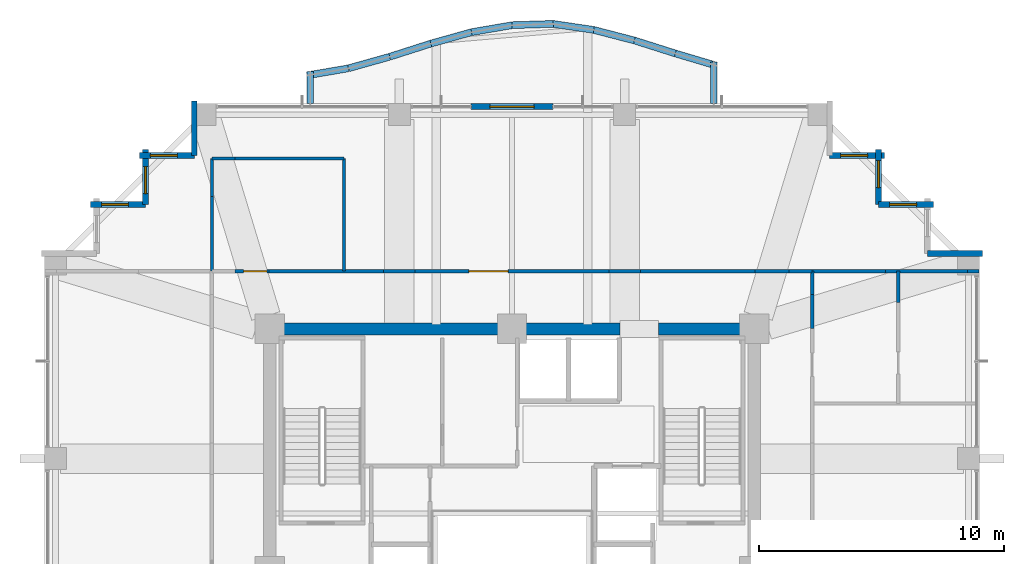
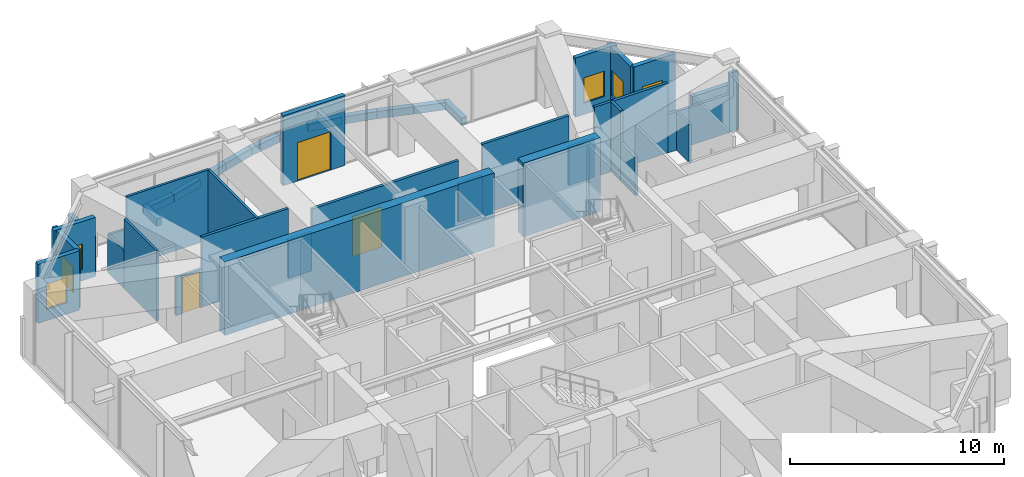
# One storey, part 29 of 33: 42 walls, 6 windows, 3 doors, 9 openings.
"""IFC4 building model written with IfcOpenShell, lengths in metres."""

from ifc_helpers import new_model, si_unit, direction, frame, frame_2d, origin, place, context, subcontext, project, spatial, rectangle, extrude, material, layer, layer_set, type_object, element, fill, save


model = new_model("IFC4")

# Units and contexts
model_context = context("Model", 3, precision=1e-05, world=origin(), true_north=direction((0.0, 1.0)))
body_context = subcontext(model_context, "Body", "Model", "MODEL_VIEW")
ifc_project = project(units=[si_unit("LENGTHUNIT", "METRE"), si_unit("AREAUNIT", "SQUARE_METRE"), si_unit("VOLUMEUNIT", "CUBIC_METRE"), si_unit("PLANEANGLEUNIT", "RADIAN"), si_unit("MASSUNIT", "GRAM", prefix="KILO")], contexts=[model_context])

# Site, building, storey
site_placement = place(None, origin())
site = spatial("IfcSite", under=ifc_project, at=site_placement, CompositionType="ELEMENT")
building_placement = place(site_placement, origin())
building = spatial("IfcBuilding", under=site, at=building_placement, Name="Kolvaren Belvedere", CompositionType="ELEMENT")
storey_placement = place(building_placement, frame((0.0, 0.0, 152.699951171875)))
storey = spatial("IfcBuildingStorey", under=building, at=storey_placement, Name="L44", CompositionType="ELEMENT", Elevation=152.699951171875)

# Walls
ifc_material_1 = material(Name="Concrete C50/60", Category="concrete")
ifc_layer_1 = layer(ifc_material_1, 0.5)
ifc_layer_set_1 = layer_set([ifc_layer_1], Name="Concrete C50/60")
wall_type_1 = type_object("IfcWallType", Name="CW-CORE-500", PredefinedType="SHEAR", material=ifc_layer_set_1)
wall_1_placement = place(storey_placement, frame((-10.14990234375, 9.89990234375, 0.0), z_axis=(0.0, 0.0, 1.0), x_axis=(1.0, 0.0, 0.0)))
element("IfcWall", 1, at=wall_1_placement, inside=storey, type_object=wall_type_1, Name="L44 North Core Shear Wall 1", PredefinedType="SHEAR", context=body_context, shape_type="SweptSolid", body=[
    extrude(rectangle(XDim=14.56982421875, YDim=0.5, at=frame_2d((7.284912109375, 0.0))), origin(), (0.0, 0.0, 1.0), 4.199951171875),
])
wall_2_placement = place(storey_placement, frame((5.97998046875, 9.89990234375, 0.0), z_axis=(0.0, 0.0, 1.0), x_axis=(1.0, 0.0, 0.0)))
element("IfcWall", 2, at=wall_2_placement, inside=storey, type_object=wall_type_1, Name="L44 North Core Shear Wall 2", PredefinedType="SHEAR", context=body_context, shape_type="SweptSolid", body=[
    extrude(rectangle(XDim=4.169921875, YDim=0.5, at=frame_2d((2.0849609375, 0.0))), origin(), (0.0, 0.0, 1.0), 4.199951171875),
])

# Wall, opening, door
ifc_material_2 = material(Name="Gypsum fire-rated partition assembly", Category="gypsum")
ifc_layer_2 = layer(ifc_material_2, 0.14990234375)
ifc_layer_set_2 = layer_set([ifc_layer_2], Name="Gypsum fire-rated partition assembly")
wall_type_2 = type_object("IfcWallType", Name="WL-CORR-150", PredefinedType="PARTITIONING", material=ifc_layer_set_2)
wall_3_placement = place(storey_placement, frame((-11.310546875, 12.260009765625, 0.0), z_axis=(0.0, 0.0, 1.0), x_axis=(1.0, 0.0, 0.0)))
wall_3 = element("IfcWall", 3, at=wall_3_placement, inside=storey, type_object=wall_type_2, Name="L44 North Corridor Wall", PredefinedType="PARTITIONING", context=body_context, shape_type="SweptSolid", body=[
    extrude(rectangle(XDim=1.3916015625, YDim=0.14990234375, at=frame_2d((0.69580078125, 0.0))), origin(), (0.0, 0.0, 1.0), 2.18505859375),
])
opening_1_placement = place(wall_3_placement, frame((0.341552734375, 0.0, 0.0)))
opening_1 = element("IfcOpeningElement", 4, at=opening_1_placement, cuts=wall_3, Name="Opening D-INT95", PredefinedType="OPENING", context=body_context, shape_type="SweptSolid", body=[
    extrude(rectangle(XDim=0.949951171875, YDim=2.06005859375, at=frame_2d((0.47509765625, 1.030029296875))), frame((0.0, 0.0849609375, 0.0), z_axis=(0.0, -1.0, 0.0), x_axis=(1.0, 0.0, 0.0)), (0.0, 0.0, 1.0), 0.169921875),
])
ifc_material_3 = material(Name="Stained Pacific white oak", Category="timber")
door_type_1 = type_object("IfcDoorType", Name="DR-INT-950", OperationType="NOTDEFINED", PredefinedType="DOOR", material=ifc_material_3)
door_1_placement = place(opening_1_placement, origin())
door_1 = element("IfcDoor", 5, at=door_1_placement, inside=storey, type_object=door_type_1, Name="L44 Accessible Club Washroom Door", OperationType="SINGLE_SWING_LEFT", OverallHeight=2.06005859375, OverallWidth=0.949951171875, PredefinedType="DOOR", context=body_context, shape_type="SweptSolid", body=[
    extrude(rectangle(XDim=0.949951171875, YDim=2.06005859375, at=frame_2d((0.47509765625, 1.030029296875))), frame((0.0, 0.02490234375, 0.0), z_axis=(0.0, -1.0, 0.0), x_axis=(1.0, 0.0, 0.0)), (0.0, 0.0, 1.0), 0.050048828125),
])
fill(opening_1, door_1)

# Walls
wall_4_placement = place(storey_placement, frame((-9.9189453125, 12.260009765625, 0.0), z_axis=(0.0, 0.0, 1.0), x_axis=(1.0, 0.0, 0.0)))
element("IfcWall", 6, at=wall_4_placement, inside=storey, type_object=wall_type_2, Name="L44 North Corridor Wall", PredefinedType="PARTITIONING", context=body_context, shape_type="SweptSolid", body=[
    extrude(rectangle(XDim=4.677001953125, YDim=0.14990234375, at=frame_2d((2.33837890625, 0.0))), origin(), (0.0, 0.0, 1.0), 4.0),
])
wall_5_placement = place(storey_placement, frame((-5.241943359375, 12.260009765625, 0.0), z_axis=(0.0, 0.0, 1.0), x_axis=(1.0, 0.0, 0.0)))
element("IfcWall", 7, at=wall_5_placement, inside=storey, type_object=wall_type_2, Name="L44 North Corridor Wall", PredefinedType="PARTITIONING", context=body_context, shape_type="SweptSolid", body=[
    extrude(rectangle(XDim=1.283935546875, YDim=0.14990234375, at=frame_2d((0.64208984375, 0.0))), origin(), (0.0, 0.0, 1.0), 2.18505859375),
])

# Wall, opening, door
wall_6_placement = place(storey_placement, frame((-3.9580078125, 12.260009765625, 0.0), z_axis=(0.0, 0.0, 1.0), x_axis=(1.0, 0.0, 0.0)))
wall_6 = element("IfcWall", 8, at=wall_6_placement, inside=storey, type_object=wall_type_2, Name="L44 North Corridor Wall", PredefinedType="PARTITIONING", context=body_context, shape_type="SweptSolid", body=[
    extrude(rectangle(XDim=7.916015625, YDim=0.14990234375, at=frame_2d((3.9580078125, 0.0))), origin(), (0.0, 0.0, 1.0), 3.525146484375),
])
opening_2_placement = place(wall_6_placement, frame((2.197998046875, 0.0, 0.0)))
opening_2 = element("IfcOpeningElement", 9, at=opening_2_placement, cuts=wall_6, Name="Opening D-GL16", PredefinedType="OPENING", context=body_context, shape_type="SweptSolid", body=[
    extrude(rectangle(XDim=1.60009765625, YDim=2.300048828125, at=frame_2d((0.800048828125, 1.14990234375))), frame((0.0, 0.0849609375, 0.0), z_axis=(0.0, -1.0, 0.0), x_axis=(1.0, 0.0, 0.0)), (0.0, 0.0, 1.0), 0.169921875),
])
ifc_material_4 = material(Name="Anodised pale-metal aluminium & safety glass", Category="aluminium")
door_type_2 = type_object("IfcDoorType", Name="DR-GLAZ-1600", OperationType="DOUBLE_DOOR_SINGLE_SWING", PredefinedType="DOOR", material=ifc_material_4)
door_2_placement = place(opening_2_placement, origin())
door_2 = element("IfcDoor", 10, at=door_2_placement, inside=storey, type_object=door_type_2, Name="L44 North Panoramic Lounge Door", OperationType="DOUBLE_DOOR_SINGLE_SWING", OverallHeight=2.300048828125, OverallWidth=1.60009765625, PredefinedType="DOOR", context=body_context, shape_type="SweptSolid", body=[
    extrude(rectangle(XDim=1.60009765625, YDim=2.300048828125, at=frame_2d((0.800048828125, 1.14990234375))), frame((0.0, 0.02490234375, 0.0), z_axis=(0.0, -1.0, 0.0), x_axis=(1.0, 0.0, 0.0)), (0.0, 0.0, 1.0), 0.050048828125),
])
fill(opening_2, door_2)

# Walls
wall_7_placement = place(storey_placement, frame((3.9580078125, 12.260009765625, 0.0), z_axis=(0.0, 0.0, 1.0), x_axis=(1.0, 0.0, 0.0)))
element("IfcWall", 11, at=wall_7_placement, inside=storey, type_object=wall_type_2, Name="L44 North Corridor Wall", PredefinedType="PARTITIONING", context=body_context, shape_type="SweptSolid", body=[
    extrude(rectangle(XDim=1.283935546875, YDim=0.14990234375, at=frame_2d((0.64208984375, 0.0))), origin(), (0.0, 0.0, 1.0), 2.18505859375),
])
wall_8_placement = place(storey_placement, frame((5.241943359375, 12.260009765625, 0.0), z_axis=(0.0, 0.0, 1.0), x_axis=(1.0, 0.0, 0.0)))
element("IfcWall", 12, at=wall_8_placement, inside=storey, type_object=wall_type_2, Name="L44 North Corridor Wall", PredefinedType="PARTITIONING", context=body_context, shape_type="SweptSolid", body=[
    extrude(rectangle(XDim=4.677001953125, YDim=0.14990234375, at=frame_2d((2.33837890625, 0.0))), origin(), (0.0, 0.0, 1.0), 4.0),
])
wall_9_placement = place(storey_placement, frame((9.9189453125, 12.260009765625, 0.0), z_axis=(0.0, 0.0, 1.0), x_axis=(1.0, 0.0, 0.0)))
element("IfcWall", 13, at=wall_9_placement, inside=storey, type_object=wall_type_2, Name="L44 North Corridor Wall", PredefinedType="PARTITIONING", context=body_context, shape_type="SweptSolid", body=[
    extrude(rectangle(XDim=1.3916015625, YDim=0.14990234375, at=frame_2d((0.69580078125, 0.0))), origin(), (0.0, 0.0, 1.0), 2.18505859375),
])
wall_10_placement = place(storey_placement, frame((11.310546875, 12.260009765625, 0.0), z_axis=(0.0, 0.0, 1.0), x_axis=(1.0, 0.0, 0.0)))
element("IfcWall", 14, at=wall_10_placement, inside=storey, type_object=wall_type_2, Name="L44 North Corridor Wall", PredefinedType="PARTITIONING", context=body_context, shape_type="SweptSolid", body=[
    extrude(rectangle(XDim=0.949462890625, YDim=0.14990234375, at=frame_2d((0.474609375, 0.0))), origin(), (0.0, 0.0, 1.0), 4.0),
])
wall_11_placement = place(storey_placement, frame((12.260009765625, 9.9189453125, 0.0), z_axis=(0.0, 0.0, 1.0), x_axis=(0.0, 1.0, 0.0)))
element("IfcWall", 15, at=wall_11_placement, inside=storey, type_object=wall_type_2, Name="L44 East Corridor Wall", PredefinedType="PARTITIONING", context=body_context, shape_type="SweptSolid", body=[
    extrude(rectangle(XDim=1.3916015625, YDim=0.14990234375, at=frame_2d((0.69580078125, 0.0))), origin(), (0.0, 0.0, 1.0), 2.18505859375),
])
wall_12_placement = place(storey_placement, frame((12.260009765625, 11.310546875, 0.0), z_axis=(0.0, 0.0, 1.0), x_axis=(0.0, 1.0, 0.0)))
element("IfcWall", 16, at=wall_12_placement, inside=storey, type_object=wall_type_2, Name="L44 East Corridor Wall", PredefinedType="PARTITIONING", context=body_context, shape_type="SweptSolid", body=[
    extrude(rectangle(XDim=0.949462890625, YDim=0.14990234375, at=frame_2d((0.474609375, 0.0))), origin(), (0.0, 0.0, 1.0), 4.0),
])
wall_13_placement = place(storey_placement, frame((12.260009765625, 12.260009765625, 0.0), z_axis=(0.0, 0.0, 1.0), x_axis=(1.0, 0.0, 0.0)))
element("IfcWall", 17, at=wall_13_placement, inside=storey, type_object=wall_type_2, Name="L44 Sector Wall PW-L44-QNE", PredefinedType="PARTITIONING", context=body_context, shape_type="SweptSolid", body=[
    extrude(rectangle(XDim=3.00390625, YDim=0.14990234375, at=frame_2d((1.501953125, 0.0))), origin(), (0.0, 0.0, 1.0), 4.0),
])
wall_14_placement = place(storey_placement, frame((15.263916015625, 12.260009765625, 0.0), z_axis=(0.0, 0.0, 1.0), x_axis=(1.0, 0.0, 0.0)))
element("IfcWall", 18, at=wall_14_placement, inside=storey, type_object=wall_type_2, Name="L44 Sector Wall PW-L44-QNE", PredefinedType="PARTITIONING", context=body_context, shape_type="SweptSolid", body=[
    extrude(rectangle(XDim=3.34228515625, YDim=0.14990234375, at=frame_2d((1.671142578125, 0.0))), origin(), (0.0, 0.0, 1.0), 2.18505859375),
])
wall_15_placement = place(storey_placement, frame((18.606201171875, 12.260009765625, 0.0), z_axis=(0.0, 0.0, 1.0), x_axis=(1.0, 0.0, 0.0)))
element("IfcWall", 19, at=wall_15_placement, inside=storey, type_object=wall_type_2, Name="L44 Sector Wall PW-L44-QNE", PredefinedType="PARTITIONING", context=body_context, shape_type="SweptSolid", body=[
    extrude(rectangle(XDim=0.473876953125, YDim=0.14990234375, at=frame_2d((0.23681640625, 0.0))), origin(), (0.0, 0.0, 1.0), 3.373046875),
])
ifc_material_5 = material(Name="Insulated pale-metal facade wall assembly", Category="aluminium")
ifc_layer_3 = layer(ifc_material_5, 0.239990234375)
ifc_layer_set_3 = layer_set([ifc_layer_3], Name="Insulated pale-metal facade wall assembly")
wall_type_3 = type_object("IfcWallType", Name="WL-EXT-240", PredefinedType="STANDARD", material=ifc_layer_set_3)
wall_16_placement = place(storey_placement, frame((16.97998046875, 12.97998046875, 0.0), z_axis=(0.0, 0.0, 1.0), x_axis=(1.0, 0.0, 0.0)))
element("IfcWall", 20, at=wall_16_placement, inside=storey, type_object=wall_type_3, Name="L44 Serrated Corner Facade Wall 9", PredefinedType="STANDARD", context=body_context, shape_type="SweptSolid", body=[
    extrude(rectangle(XDim=2.239990234375, YDim=0.239990234375, at=frame_2d((1.1201171875, 0.0))), origin(), (0.0, 0.0, 1.0), 2.195068359375),
])

# Wall, opening, window
wall_17_placement = place(storey_placement, frame((14.97998046875, 14.97998046875, 0.0), z_axis=(0.0, 0.0, 1.0), x_axis=(1.0, 0.0, 0.0)))
wall_17 = element("IfcWall", 21, at=wall_17_placement, inside=storey, type_object=wall_type_3, Name="L44 Serrated Corner Facade Wall 11", PredefinedType="STANDARD", context=body_context, shape_type="SweptSolid", body=[
    extrude(rectangle(XDim=2.239990234375, YDim=0.239990234375, at=frame_2d((1.1201171875, 0.0))), origin(), (0.0, 0.0, 1.0), 3.383056640625),
])
opening_3_placement = place(wall_17_placement, frame((0.449951171875, 0.0, 0.64990234375)))
opening_3 = element("IfcOpeningElement", 22, at=opening_3_placement, cuts=wall_17, Name="Opening W-1100", PredefinedType="OPENING", context=body_context, shape_type="SweptSolid", body=[
    extrude(rectangle(XDim=1.10009765625, YDim=1.449951171875, at=frame_2d((0.550048828125, 0.72509765625))), frame((0.0, 0.1298828125, 0.0), z_axis=(0.0, -1.0, 0.0), x_axis=(1.0, 0.0, 0.0)), (0.0, 0.0, 1.0), 0.260009765625),
])
ifc_material_6 = material(Name="Low-iron triple insulated glass", Category="glass")
window_type = type_object("IfcWindowType", Name="WN-CORN-1100", PartitioningType="SINGLE_PANEL", PredefinedType="WINDOW", material=ifc_material_6)
window_1_placement = place(opening_3_placement, origin())
window_1 = element("IfcWindow", 23, at=window_1_placement, inside=storey, type_object=window_type, Name="L44 Serrated Corner Vision Window 11", OverallHeight=1.449951171875, OverallWidth=1.10009765625, PartitioningType="SINGLE_PANEL", PredefinedType="WINDOW", context=body_context, shape_type="SweptSolid", body=[
    extrude(rectangle(XDim=1.10009765625, YDim=1.449951171875, at=frame_2d((0.550048828125, 0.72509765625))), frame((0.0, 0.030029296875, 0.0), z_axis=(0.0, -1.0, 0.0), x_axis=(1.0, 0.0, 0.0)), (0.0, 0.0, 1.0), 0.06005859375),
])
fill(opening_3, window_1)

wall_18_placement = place(storey_placement, frame((14.97998046875, 17.219970703125, 0.0), z_axis=(0.0, 0.0, 1.0), x_axis=(0.0, -1.0, 0.0)))
wall_18 = element("IfcWall", 24, at=wall_18_placement, inside=storey, type_object=wall_type_3, Name="L44 Serrated Corner Facade Wall 12", PredefinedType="STANDARD", context=body_context, shape_type="SweptSolid", body=[
    extrude(rectangle(XDim=2.239990234375, YDim=0.239990234375, at=frame_2d((1.1201171875, 0.0))), origin(), (0.0, 0.0, 1.0), 3.383056640625),
])
opening_4_placement = place(wall_18_placement, frame((0.449951171875, 0.0, 0.64990234375)))
opening_4 = element("IfcOpeningElement", 25, at=opening_4_placement, cuts=wall_18, Name="Opening W-1100", PredefinedType="OPENING", context=body_context, shape_type="SweptSolid", body=[
    extrude(rectangle(XDim=1.10009765625, YDim=1.449951171875, at=frame_2d((0.550048828125, 0.72509765625))), frame((0.0, 0.1298828125, 0.0), z_axis=(0.0, -1.0, 0.0), x_axis=(1.0, 0.0, 0.0)), (0.0, 0.0, 1.0), 0.260009765625),
])
window_2_placement = place(opening_4_placement, origin())
window_2 = element("IfcWindow", 26, at=window_2_placement, inside=storey, type_object=window_type, Name="L44 Serrated Corner Vision Window 12", OverallHeight=1.449951171875, OverallWidth=1.10009765625, PartitioningType="SINGLE_PANEL", PredefinedType="WINDOW", context=body_context, shape_type="SweptSolid", body=[
    extrude(rectangle(XDim=1.10009765625, YDim=1.449951171875, at=frame_2d((0.550048828125, 0.72509765625))), frame((0.0, 0.030029296875, 0.0), z_axis=(0.0, -1.0, 0.0), x_axis=(1.0, 0.0, 0.0)), (0.0, 0.0, 1.0), 0.06005859375),
])
fill(opening_4, window_2)

wall_19_placement = place(storey_placement, frame((12.97998046875, 16.97998046875, 0.0), z_axis=(0.0, 0.0, 1.0), x_axis=(1.0, 0.0, 0.0)))
wall_19 = element("IfcWall", 27, at=wall_19_placement, inside=storey, type_object=wall_type_3, Name="L44 Serrated Corner Facade Wall 13", PredefinedType="STANDARD", context=body_context, shape_type="SweptSolid", body=[
    extrude(rectangle(XDim=2.239990234375, YDim=0.239990234375, at=frame_2d((1.1201171875, 0.0))), origin(), (0.0, 0.0, 1.0), 3.383056640625),
])
opening_5_placement = place(wall_19_placement, frame((0.449951171875, 0.0, 0.64990234375)))
opening_5 = element("IfcOpeningElement", 28, at=opening_5_placement, cuts=wall_19, Name="Opening W-1100", PredefinedType="OPENING", context=body_context, shape_type="SweptSolid", body=[
    extrude(rectangle(XDim=1.10009765625, YDim=1.449951171875, at=frame_2d((0.550048828125, 0.72509765625))), frame((0.0, 0.1298828125, 0.0), z_axis=(0.0, -1.0, 0.0), x_axis=(1.0, 0.0, 0.0)), (0.0, 0.0, 1.0), 0.260009765625),
])
window_3_placement = place(opening_5_placement, origin())
window_3 = element("IfcWindow", 29, at=window_3_placement, inside=storey, type_object=window_type, Name="L44 Serrated Corner Vision Window 13", OverallHeight=1.449951171875, OverallWidth=1.10009765625, PartitioningType="SINGLE_PANEL", PredefinedType="WINDOW", context=body_context, shape_type="SweptSolid", body=[
    extrude(rectangle(XDim=1.10009765625, YDim=1.449951171875, at=frame_2d((0.550048828125, 0.72509765625))), frame((0.0, 0.030029296875, 0.0), z_axis=(0.0, -1.0, 0.0), x_axis=(1.0, 0.0, 0.0)), (0.0, 0.0, 1.0), 0.06005859375),
])
fill(opening_5, window_3)

# Wall, opening, door
wall_20_placement = place(storey_placement, frame((-1.679931640625, 18.97998046875, 0.0), z_axis=(0.0, 0.0, 1.0), x_axis=(1.0, 0.0, 0.0)))
wall_20 = element("IfcWall", 30, at=wall_20_placement, inside=storey, type_object=wall_type_3, Name="L44 North Terrace Portal Wall", PredefinedType="STANDARD", context=body_context, shape_type="SweptSolid", body=[
    extrude(rectangle(XDim=3.35986328125, YDim=0.239990234375, at=frame_2d((1.679931640625, 0.0))), origin(), (0.0, 0.0, 1.0), 4.0),
])
opening_6_placement = place(wall_20_placement, frame((0.780029296875, 0.0, 0.0)))
opening_6 = element("IfcOpeningElement", 31, at=opening_6_placement, cuts=wall_20, Name="Opening DB-1800", PredefinedType="OPENING", context=body_context, shape_type="SweptSolid", body=[
    extrude(rectangle(XDim=1.800048828125, YDim=2.199951171875, at=frame_2d((0.89990234375, 1.10009765625))), frame((0.0, 0.1298828125, 0.0), z_axis=(0.0, -1.0, 0.0), x_axis=(1.0, 0.0, 0.0)), (0.0, 0.0, 1.0), 0.260009765625),
])
ifc_material_7 = material(Name="Thermally broken pale-metal aluminium & low-iron glass", Category="aluminium")
door_type_3 = type_object("IfcDoorType", Name="DR-BAL-1800", OperationType="DOUBLE_DOOR_SLIDING", PredefinedType="DOOR", material=ifc_material_7)
door_3_placement = place(opening_6_placement, origin())
door_3 = element("IfcDoor", 32, at=door_3_placement, inside=storey, type_object=door_type_3, Name="L44 North Planted Terrace Sliding Door", OperationType="DOUBLE_DOOR_SLIDING", OverallHeight=2.199951171875, OverallWidth=1.800048828125, PredefinedType="DOOR", context=body_context, shape_type="SweptSolid", body=[
    extrude(rectangle(XDim=1.800048828125, YDim=2.199951171875, at=frame_2d((0.89990234375, 1.10009765625))), frame((0.0, 0.02490234375, 0.0), z_axis=(0.0, -1.0, 0.0), x_axis=(1.0, 0.0, 0.0)), (0.0, 0.0, 1.0), 0.050048828125),
])
fill(opening_6, door_3)

# Wall
wall_21_placement = place(storey_placement, frame((-12.97998046875, 16.97998046875, 0.0), z_axis=(0.0, 0.0, 1.0), x_axis=(0.0, 1.0, 0.0)))
element("IfcWall", 33, at=wall_21_placement, inside=storey, type_object=wall_type_3, Name="L44 Serrated Corner Facade Wall 16", PredefinedType="STANDARD", context=body_context, shape_type="SweptSolid", body=[
    extrude(rectangle(XDim=2.239990234375, YDim=0.239990234375, at=frame_2d((1.1201171875, 0.0))), origin(), (0.0, 0.0, 1.0), 2.195068359375),
])

# Wall, opening, window
wall_22_placement = place(storey_placement, frame((-15.219970703125, 16.97998046875, 0.0), z_axis=(0.0, 0.0, 1.0), x_axis=(1.0, 0.0, 0.0)))
wall_22 = element("IfcWall", 34, at=wall_22_placement, inside=storey, type_object=wall_type_3, Name="L44 Serrated Corner Facade Wall 17", PredefinedType="STANDARD", context=body_context, shape_type="SweptSolid", body=[
    extrude(rectangle(XDim=2.239990234375, YDim=0.239990234375, at=frame_2d((1.1201171875, 0.0))), origin(), (0.0, 0.0, 1.0), 3.383056640625),
])
opening_7_placement = place(wall_22_placement, frame((0.449951171875, 0.0, 0.64990234375)))
opening_7 = element("IfcOpeningElement", 35, at=opening_7_placement, cuts=wall_22, Name="Opening W-1100", PredefinedType="OPENING", context=body_context, shape_type="SweptSolid", body=[
    extrude(rectangle(XDim=1.10009765625, YDim=1.449951171875, at=frame_2d((0.550048828125, 0.72509765625))), frame((0.0, 0.1298828125, 0.0), z_axis=(0.0, -1.0, 0.0), x_axis=(1.0, 0.0, 0.0)), (0.0, 0.0, 1.0), 0.260009765625),
])
window_4_placement = place(opening_7_placement, origin())
window_4 = element("IfcWindow", 36, at=window_4_placement, inside=storey, type_object=window_type, Name="L44 Serrated Corner Vision Window 17", OverallHeight=1.449951171875, OverallWidth=1.10009765625, PartitioningType="SINGLE_PANEL", PredefinedType="WINDOW", context=body_context, shape_type="SweptSolid", body=[
    extrude(rectangle(XDim=1.10009765625, YDim=1.449951171875, at=frame_2d((0.550048828125, 0.72509765625))), frame((0.0, 0.030029296875, 0.0), z_axis=(0.0, -1.0, 0.0), x_axis=(1.0, 0.0, 0.0)), (0.0, 0.0, 1.0), 0.06005859375),
])
fill(opening_7, window_4)

wall_23_placement = place(storey_placement, frame((-14.97998046875, 14.97998046875, 0.0), z_axis=(0.0, 0.0, 1.0), x_axis=(0.0, 1.0, 0.0)))
wall_23 = element("IfcWall", 37, at=wall_23_placement, inside=storey, type_object=wall_type_3, Name="L44 Serrated Corner Facade Wall 18", PredefinedType="STANDARD", context=body_context, shape_type="SweptSolid", body=[
    extrude(rectangle(XDim=2.239990234375, YDim=0.239990234375, at=frame_2d((1.1201171875, 0.0))), origin(), (0.0, 0.0, 1.0), 3.383056640625),
])
opening_8_placement = place(wall_23_placement, frame((0.449951171875, 0.0, 0.64990234375)))
opening_8 = element("IfcOpeningElement", 38, at=opening_8_placement, cuts=wall_23, Name="Opening W-1100", PredefinedType="OPENING", context=body_context, shape_type="SweptSolid", body=[
    extrude(rectangle(XDim=1.10009765625, YDim=1.449951171875, at=frame_2d((0.550048828125, 0.72509765625))), frame((0.0, 0.1298828125, 0.0), z_axis=(0.0, -1.0, 0.0), x_axis=(1.0, 0.0, 0.0)), (0.0, 0.0, 1.0), 0.260009765625),
])
window_5_placement = place(opening_8_placement, origin())
window_5 = element("IfcWindow", 39, at=window_5_placement, inside=storey, type_object=window_type, Name="L44 Serrated Corner Vision Window 18", OverallHeight=1.449951171875, OverallWidth=1.10009765625, PartitioningType="SINGLE_PANEL", PredefinedType="WINDOW", context=body_context, shape_type="SweptSolid", body=[
    extrude(rectangle(XDim=1.10009765625, YDim=1.449951171875, at=frame_2d((0.550048828125, 0.72509765625))), frame((0.0, 0.030029296875, 0.0), z_axis=(0.0, -1.0, 0.0), x_axis=(1.0, 0.0, 0.0)), (0.0, 0.0, 1.0), 0.06005859375),
])
fill(opening_8, window_5)

wall_24_placement = place(storey_placement, frame((-17.219970703125, 14.97998046875, 0.0), z_axis=(0.0, 0.0, 1.0), x_axis=(1.0, 0.0, 0.0)))
wall_24 = element("IfcWall", 40, at=wall_24_placement, inside=storey, type_object=wall_type_3, Name="L44 Serrated Corner Facade Wall 19", PredefinedType="STANDARD", context=body_context, shape_type="SweptSolid", body=[
    extrude(rectangle(XDim=2.239990234375, YDim=0.239990234375, at=frame_2d((1.1201171875, 0.0))), origin(), (0.0, 0.0, 1.0), 3.383056640625),
])
opening_9_placement = place(wall_24_placement, frame((0.449951171875, 0.0, 0.64990234375)))
opening_9 = element("IfcOpeningElement", 41, at=opening_9_placement, cuts=wall_24, Name="Opening W-1100", PredefinedType="OPENING", context=body_context, shape_type="SweptSolid", body=[
    extrude(rectangle(XDim=1.10009765625, YDim=1.449951171875, at=frame_2d((0.550048828125, 0.72509765625))), frame((0.0, 0.1298828125, 0.0), z_axis=(0.0, -1.0, 0.0), x_axis=(1.0, 0.0, 0.0)), (0.0, 0.0, 1.0), 0.260009765625),
])
window_6_placement = place(opening_9_placement, origin())
window_6 = element("IfcWindow", 42, at=window_6_placement, inside=storey, type_object=window_type, Name="L44 Serrated Corner Vision Window 19", OverallHeight=1.449951171875, OverallWidth=1.10009765625, PartitioningType="SINGLE_PANEL", PredefinedType="WINDOW", context=body_context, shape_type="SweptSolid", body=[
    extrude(rectangle(XDim=1.10009765625, YDim=1.449951171875, at=frame_2d((0.550048828125, 0.72509765625))), frame((0.0, 0.030029296875, 0.0), z_axis=(0.0, -1.0, 0.0), x_axis=(1.0, 0.0, 0.0)), (0.0, 0.0, 1.0), 0.06005859375),
])
fill(opening_9, window_6)

# Walls
ifc_material_8 = material(Name="Precast concrete C40/50", Category="concrete")
ifc_layer_4 = layer(ifc_material_8, 0.300048828125)
ifc_layer_set_4 = layer_set([ifc_layer_4], Name="Precast concrete C40/50")
wall_type_4 = type_object("IfcWallType", Name="WL-PLANTER-300", PredefinedType="PARAPET", material=ifc_layer_set_4)
wall_25_placement = place(storey_placement, frame((8.239990234375, 19.10009765625, -0.119873046875), z_axis=(0.0, 0.0, 1.0), x_axis=(0.0, 1.0, 0.0)))
element("IfcWall", 43, at=wall_25_placement, inside=storey, type_object=wall_type_4, Name="L44 Precast Structural Planter Wall BAL-N-11", PredefinedType="PARAPET", context=body_context, shape_type="SweptSolid", body=[
    extrude(rectangle(XDim=1.705078125, YDim=0.280029296875, at=frame_2d((0.8525390625, 0.0))), origin(), (0.0, 0.0, 1.0), 0.419921875),
])
wall_26_placement = place(storey_placement, frame((8.3544921875, 20.65185546875, -0.119873046875), z_axis=(0.0, 0.0, 1.0), x_axis=(-0.958574394638, 0.284842289601, 0.0)))
element("IfcWall", 44, at=wall_26_placement, inside=storey, type_object=wall_type_4, Name="L44 Precast Structural Planter Wall BAL-N-12", PredefinedType="PARAPET", context=body_context, shape_type="SweptSolid", body=[
    extrude(rectangle(XDim=1.752685546875, YDim=0.280029296875, at=frame_2d((0.87646484375, 0.0))), origin(), (0.0, 0.0, 1.0), 0.419921875),
])
wall_27_placement = place(storey_placement, frame((6.671630859375, 21.152099609375, -0.119873046875), z_axis=(0.0, 0.0, 1.0), x_axis=(-0.953181954832, 0.302397356111, 0.0)))
element("IfcWall", 45, at=wall_27_placement, inside=storey, type_object=wall_type_4, Name="L44 Precast Structural Planter Wall BAL-N-13", PredefinedType="PARAPET", context=body_context, shape_type="SweptSolid", body=[
    extrude(rectangle(XDim=1.762451171875, YDim=0.280029296875, at=frame_2d((0.88134765625, 0.0))), origin(), (0.0, 0.0, 1.0), 0.419921875),
])
wall_28_placement = place(storey_placement, frame((5.0, 21.6826171875, -0.119873046875), z_axis=(0.0, 0.0, 1.0), x_axis=(-0.968141031826, 0.250405556038, 0.0)))
element("IfcWall", 46, at=wall_28_placement, inside=storey, type_object=wall_type_4, Name="L44 Precast Structural Planter Wall BAL-N-14", PredefinedType="PARAPET", context=body_context, shape_type="SweptSolid", body=[
    extrude(rectangle(XDim=1.7353515625, YDim=0.280029296875, at=frame_2d((0.86767578125, 0.0))), origin(), (0.0, 0.0, 1.0), 0.419921875),
])
wall_29_placement = place(storey_placement, frame((3.336669921875, 22.114013671875, -0.119873046875), z_axis=(0.0, 0.0, 1.0), x_axis=(-0.989295127716, 0.145928579368, 0.0)))
element("IfcWall", 47, at=wall_29_placement, inside=storey, type_object=wall_type_4, Name="L44 Precast Structural Planter Wall BAL-N-15", PredefinedType="PARAPET", context=body_context, shape_type="SweptSolid", body=[
    extrude(rectangle(XDim=1.697998046875, YDim=0.280029296875, at=frame_2d((0.84912109375, 0.0))), origin(), (0.0, 0.0, 1.0), 0.419921875),
])
wall_30_placement = place(storey_placement, frame((1.68505859375, 22.360107421875, -0.119873046875), z_axis=(0.0, 0.0, 1.0), x_axis=(-0.999503251643, -0.031515868295, 0.0)))
element("IfcWall", 48, at=wall_30_placement, inside=storey, type_object=wall_type_4, Name="L44 Precast Structural Planter Wall BAL-N-16", PredefinedType="PARAPET", context=body_context, shape_type="SweptSolid", body=[
    extrude(rectangle(XDim=1.680908203125, YDim=0.280029296875, at=frame_2d((0.84033203125, 0.0))), origin(), (0.0, 0.0, 1.0), 0.419921875),
])
wall_31_placement = place(storey_placement, frame((0.027099609375, 22.309326171875, -0.119873046875), z_axis=(0.0, 0.0, 1.0), x_axis=(-0.985640648378, -0.168856484225, 0.0)))
element("IfcWall", 49, at=wall_31_placement, inside=storey, type_object=wall_type_4, Name="L44 Precast Structural Planter Wall BAL-N-17", PredefinedType="PARAPET", context=body_context, shape_type="SweptSolid", body=[
    extrude(rectangle(XDim=1.70458984375, YDim=0.280029296875, at=frame_2d((0.852294921875, 0.0))), origin(), (0.0, 0.0, 1.0), 0.419921875),
])
wall_32_placement = place(storey_placement, frame((-1.63671875, 22.025146484375, -0.119873046875), z_axis=(0.0, 0.0, 1.0), x_axis=(-0.962926227834, -0.269764860108, 0.0)))
element("IfcWall", 50, at=wall_32_placement, inside=storey, type_object=wall_type_4, Name="L44 Precast Structural Planter Wall BAL-N-18", PredefinedType="PARAPET", context=body_context, shape_type="SweptSolid", body=[
    extrude(rectangle(XDim=1.744873046875, YDim=0.280029296875, at=frame_2d((0.87255859375, 0.0))), origin(), (0.0, 0.0, 1.0), 0.419921875),
])
wall_33_placement = place(storey_placement, frame((-3.311279296875, 21.55615234375, -0.119873046875), z_axis=(0.0, 0.0, 1.0), x_axis=(-0.952501264923, -0.304534629099, 0.0)))
element("IfcWall", 51, at=wall_33_placement, inside=storey, type_object=wall_type_4, Name="L44 Precast Structural Planter Wall BAL-N-19", PredefinedType="PARAPET", context=body_context, shape_type="SweptSolid", body=[
    extrude(rectangle(XDim=1.763671875, YDim=0.280029296875, at=frame_2d((0.8818359375, 0.0))), origin(), (0.0, 0.0, 1.0), 0.419921875),
])
wall_34_placement = place(storey_placement, frame((-4.996826171875, 21.017333984375, -0.119873046875), z_axis=(0.0, 0.0, 1.0), x_axis=(-0.962916043401, -0.269801210823, 0.0)))
element("IfcWall", 52, at=wall_34_placement, inside=storey, type_object=wall_type_4, Name="L44 Precast Structural Planter Wall BAL-N-20", PredefinedType="PARAPET", context=body_context, shape_type="SweptSolid", body=[
    extrude(rectangle(XDim=1.74462890625, YDim=0.280029296875, at=frame_2d((0.872314453125, 0.0))), origin(), (0.0, 0.0, 1.0), 0.419921875),
])
wall_35_placement = place(storey_placement, frame((-6.693115234375, 20.54296875, -0.119873046875), z_axis=(0.0, 0.0, 1.0), x_axis=(-0.985636563949, -0.16888032392, 0.0)))
element("IfcWall", 53, at=wall_35_placement, inside=storey, type_object=wall_type_4, Name="L44 Precast Structural Planter Wall BAL-N-21", PredefinedType="PARAPET", context=body_context, shape_type="SweptSolid", body=[
    extrude(rectangle(XDim=1.704345703125, YDim=0.280029296875, at=frame_2d((0.85205078125, 0.0))), origin(), (0.0, 0.0, 1.0), 0.419921875),
])
wall_36_placement = place(storey_placement, frame((-8.239990234375, 20.412841796875, -0.119873046875), z_axis=(0.0, 0.0, 1.0), x_axis=(0.0, -1.0, 0.0)))
element("IfcWall", 54, at=wall_36_placement, inside=storey, type_object=wall_type_4, Name="L44 Precast Structural Planter Wall BAL-N-22", PredefinedType="PARAPET", context=body_context, shape_type="SweptSolid", body=[
    extrude(rectangle(XDim=1.312744140625, YDim=0.280029296875, at=frame_2d((0.65625, 0.0))), origin(), (0.0, 0.0, 1.0), 0.419921875),
])
ifc_material_9 = material(Name="Moisture-resistant gypsum partition", Category="gypsum")
ifc_layer_5 = layer(ifc_material_9, 0.125)
ifc_layer_set_5 = layer_set([ifc_layer_5], Name="Moisture-resistant gypsum partition")
wall_type_5 = type_object("IfcWallType", Name="WL-WET-125", PredefinedType="PARTITIONING", material=ifc_layer_set_5)
wall_37_placement = place(storey_placement, frame((15.780029296875, 10.98876953125, 0.0), z_axis=(0.0, 0.0, 1.0), x_axis=(0.0, 1.0, 0.0)))
element("IfcWall", 55, at=wall_37_placement, inside=storey, type_object=wall_type_5, Name="L44 East Washroom Back Wall", PredefinedType="PARTITIONING", context=body_context, shape_type="SweptSolid", body=[
    extrude(rectangle(XDim=1.271240234375, YDim=0.125, at=frame_2d((0.6357421875, 0.0))), origin(), (0.0, 0.0, 1.0), 2.18505859375),
])
wall_38_placement = place(storey_placement, frame((-12.260009765625, 12.260009765625, 0.0), z_axis=(0.0, 0.0, 1.0), x_axis=(0.0, 1.0, 0.0)))
element("IfcWall", 56, at=wall_38_placement, inside=storey, type_object=wall_type_5, Name="L44 Accessible WC West Wall", PredefinedType="PARTITIONING", context=body_context, shape_type="SweptSolid", body=[
    extrude(rectangle(XDim=3.045166015625, YDim=0.125, at=frame_2d((1.5224609375, 0.0))), origin(), (0.0, 0.0, 1.0), 4.0),
])
wall_39_placement = place(storey_placement, frame((-12.260009765625, 15.30517578125, 0.0), z_axis=(0.0, 0.0, 1.0), x_axis=(0.0, 1.0, 0.0)))
element("IfcWall", 57, at=wall_39_placement, inside=storey, type_object=wall_type_5, Name="L44 Accessible WC West Wall", PredefinedType="PARTITIONING", context=body_context, shape_type="SweptSolid", body=[
    extrude(rectangle(XDim=1.554931640625, YDim=0.125, at=frame_2d((0.77734375, 0.0))), origin(), (0.0, 0.0, 1.0), 2.18505859375),
])
wall_40_placement = place(storey_placement, frame((-6.860107421875, 12.260009765625, 0.0), z_axis=(0.0, 0.0, 1.0), x_axis=(0.0, 1.0, 0.0)))
element("IfcWall", 58, at=wall_40_placement, inside=storey, type_object=wall_type_5, Name="L44 Accessible WC East Wall", PredefinedType="PARTITIONING", context=body_context, shape_type="SweptSolid", body=[
    extrude(rectangle(XDim=4.60009765625, YDim=0.125, at=frame_2d((2.300048828125, 0.0))), origin(), (0.0, 0.0, 1.0), 4.0),
])
wall_41_placement = place(storey_placement, frame((-12.260009765625, 16.860107421875, 0.0), z_axis=(0.0, 0.0, 1.0), x_axis=(1.0, 0.0, 0.0)))
element("IfcWall", 59, at=wall_41_placement, inside=storey, type_object=wall_type_5, Name="L44 Accessible WC North Wall", PredefinedType="PARTITIONING", context=body_context, shape_type="SweptSolid", body=[
    extrude(rectangle(XDim=0.944091796875, YDim=0.125, at=frame_2d((0.47216796875, 0.0))), origin(), (0.0, 0.0, 1.0), 2.18505859375),
])
wall_42_placement = place(storey_placement, frame((-11.31591796875, 16.860107421875, 0.0), z_axis=(0.0, 0.0, 1.0), x_axis=(1.0, 0.0, 0.0)))
element("IfcWall", 60, at=wall_42_placement, inside=storey, type_object=wall_type_5, Name="L44 Accessible WC North Wall", PredefinedType="PARTITIONING", context=body_context, shape_type="SweptSolid", body=[
    extrude(rectangle(XDim=4.455810546875, YDim=0.125, at=frame_2d((2.22802734375, 0.0))), origin(), (0.0, 0.0, 1.0), 4.0),
])

save(model, "model.ifc")
